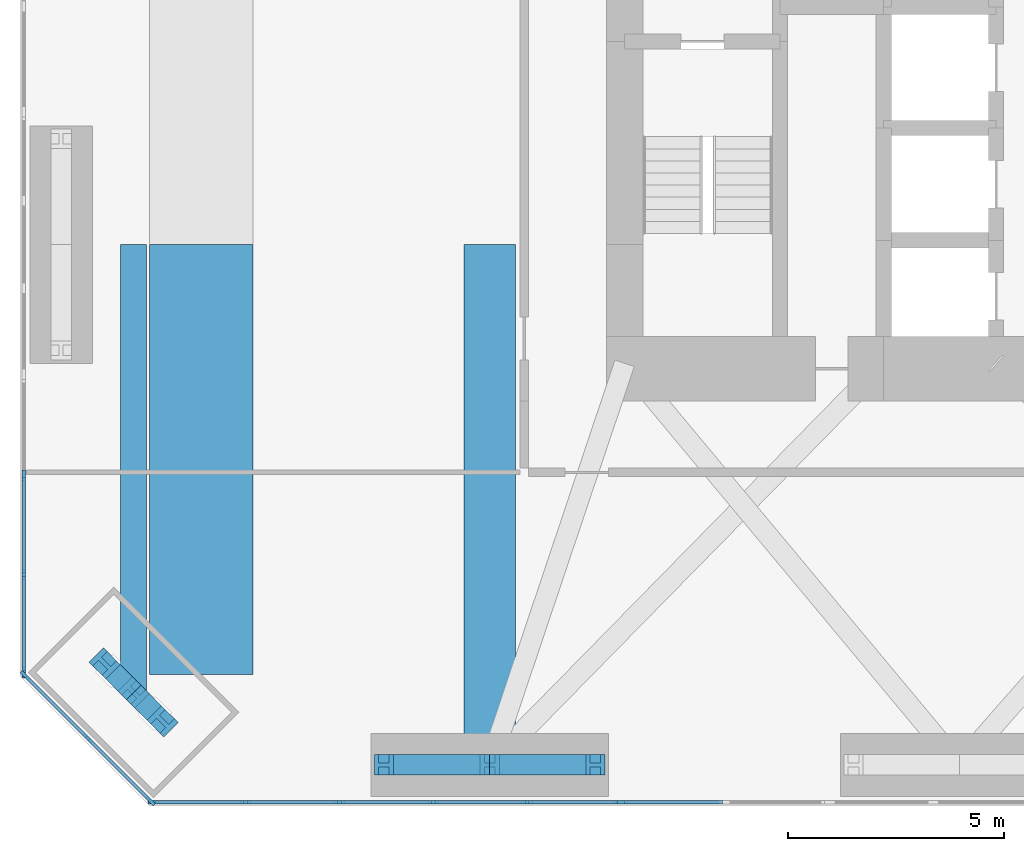
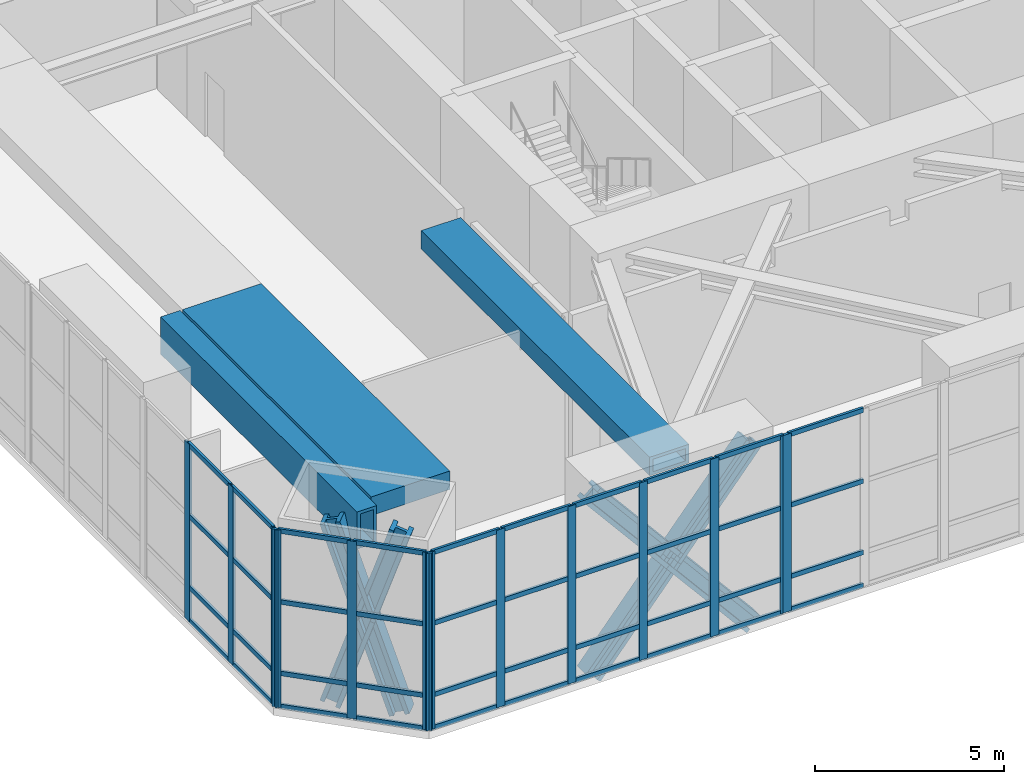
# One storey, part 2 of 18: 61 members, 3 beams, 4 elements without a shape of their own.
"""IFC4 building model written with IfcOpenShell, lengths in metres."""

from ifc_helpers import new_model, si_unit, direction, frame, origin, origin_2d, place, context, subcontext, project, spatial, rectangle, hollow_rectangle, i_section, extrude, material, material_profile, profile_set, type_object, element, aggregate, save


model = new_model("IFC4")

# Units and contexts
model_context = context("Model", 3, precision=1e-05, world=origin(), true_north=direction((0.0, 1.0)))
body_context = subcontext(model_context, "Body", "Model", "MODEL_VIEW")
ifc_project = project(units=[si_unit("LENGTHUNIT", "METRE"), si_unit("AREAUNIT", "SQUARE_METRE"), si_unit("VOLUMEUNIT", "CUBIC_METRE"), si_unit("PLANEANGLEUNIT", "RADIAN"), si_unit("MASSUNIT", "GRAM", prefix="KILO")], contexts=[model_context])

# Site, building, storey
site_placement = place(None, origin())
site = spatial("IfcSite", under=ifc_project, at=site_placement, CompositionType="ELEMENT")
building_placement = place(site_placement, origin())
building = spatial("IfcBuilding", under=site, at=building_placement, Name="Jalousie Tower", CompositionType="ELEMENT")
storey_placement = place(building_placement, frame((0.0, 0.0, 138.35009765625)))
storey = spatial("IfcBuildingStorey", under=building, at=storey_placement, Name="L38", CompositionType="ELEMENT", Elevation=138.35009765625)

# Beams
ifc_material_1 = material(Name="Steel ASTM A572 Grade 50 plate", Category="steel")
ifc_material_profile_1 = material_profile(ifc_material_1, hollow_rectangle(XDim=0.60009765625, YDim=1.199951171875, WallThickness=0.10009765625, at=origin_2d()), Name="BOX 1200x600x100")
ifc_profile_set_1 = profile_set([ifc_material_profile_1], Name="Steel ASTM A572 Grade 50 plate")
beam_type_1 = type_object("IfcBeamType", Name="KINK TIE BOX 1200x600x100", PredefinedType="BEAM", material=ifc_profile_set_1)
beam_1_placement = place(storey_placement, frame((8.63134765625, 2.63134765625, 5.119873046875), z_axis=(0.0, 1.0, 0.0), x_axis=(-1.0, 0.0, 0.0)))
element("IfcBeam", 1, at=beam_1_placement, inside=storey, type_object=beam_type_1, Name="Kink tie under L39", PredefinedType="BEAM", context=body_context, shape_type="SweptSolid", body=[
    extrude(hollow_rectangle(XDim=0.60009765625, YDim=1.199951171875, WallThickness=0.10009765625, at=origin_2d()), origin(), (0.0, 0.0, 1.0), 10.36865234375),
])
ifc_material_2 = material(Name="Steel ASTM A572 Grade 50 plate", Category="steel")
ifc_material_profile_2 = material_profile(ifc_material_2, hollow_rectangle(XDim=1.199951171875, YDim=0.60009765625, WallThickness=0.10009765625, at=origin_2d()), Name="BOX 600x1200x100")
ifc_profile_set_2 = profile_set([ifc_material_profile_2], Name="Steel ASTM A572 Grade 50 plate")
beam_type_2 = type_object("IfcBeamType", Name="KINK TIE BOX 600x1200x100", PredefinedType="BEAM", material=ifc_profile_set_2)
beam_2_placement = place(storey_placement, frame((16.875, 0.949951171875, 5.419921875), z_axis=(0.0, 1.0, 0.0), x_axis=(-1.0, 0.0, 0.0)))
element("IfcBeam", 2, at=beam_2_placement, inside=storey, type_object=beam_type_2, Name="Kink tie under L39", PredefinedType="BEAM", context=body_context, shape_type="SweptSolid", body=[
    extrude(hollow_rectangle(XDim=1.199951171875, YDim=0.60009765625, WallThickness=0.10009765625, at=origin_2d()), origin(), (0.0, 0.0, 1.0), 12.050048828125),
])

# Members
ifc_material_3 = material(Name="Steel ASTM A992 Grade 50", Category="steel")
ifc_material_profile_3 = material_profile(ifc_material_3, i_section(OverallWidth=0.472412109375, OverallDepth=0.5791015625, WebThickness=0.094970703125, FlangeThickness=0.1298828125, at=origin_2d()), Name="W14X808")
ifc_profile_set_3 = profile_set([ifc_material_profile_3], Name="Steel ASTM A992 Grade 50")
member_type_1 = type_object("IfcMemberType", Name="PERIMETER BRACE W14X808", PredefinedType="BRACE", material=ifc_profile_set_3)
for number, where, z_axis, x_axis, name in (
    (3, (7.959716796875, 3.302978515625, -0.60009765625), (0.218388113995, -0.218388113995, 0.951111593522), (0.707106781187, 0.707106781187, 0.0), "Perimeter brace 01 L38 part 1"),
    (4, (8.63134765625, 2.63134765625, 2.324951171875), (0.218388113995, -0.218388113995, 0.951111593522), (0.707106781187, 0.707106781187, 0.0), "Perimeter brace 01 L38 part 2"),
    (5, (9.302978515625, 1.959716796875, -0.60009765625), (-0.218388113995, 0.218388113995, 0.951111593522), (-0.707106781187, -0.707106781187, 0.0), "Perimeter brace 01 L38 part 3"),
    (6, (8.63134765625, 2.63134765625, 2.324951171875), (-0.218388113995, 0.218388113995, 0.951111593522), (-0.707106781187, -0.707106781187, 0.0), "Perimeter brace 01 L38 part 4"),
):
    element("IfcMember", number, at=place(storey_placement, frame(where, z_axis=z_axis, x_axis=x_axis)), inside=storey, type_object=member_type_1, Name=name, PredefinedType="BRACE", context=body_context, shape_type="SweptSolid", body=[
        extrude(i_section(OverallWidth=0.472412109375, OverallDepth=0.5791015625, WebThickness=0.094970703125, FlangeThickness=0.1298828125, at=origin_2d()), origin(), (0.0, 0.0, 1.0), 3.075439453125),
    ])
for number, where, z_axis, x_axis, name in (
    (7, (14.425048828125, 0.949951171875, -0.60009765625), (0.642101988506, 0.0, 0.766619225141), (0.0, 1.0, 0.0), "Perimeter brace 02 L38 part 1"),
    (8, (16.875, 0.949951171875, 2.324951171875), (0.642101988506, 0.0, 0.766619225141), (0.0, 1.0, 0.0), "Perimeter brace 02 L38 part 2"),
    (9, (19.324951171875, 0.949951171875, -0.60009765625), (-0.642101988506, 0.0, 0.766619225141), (0.0, -1.0, 0.0), "Perimeter brace 02 L38 part 3"),
    (10, (16.875, 0.949951171875, 2.324951171875), (-0.642101988506, 0.0, 0.766619225141), (0.0, -1.0, 0.0), "Perimeter brace 02 L38 part 4"),
):
    element("IfcMember", number, at=place(storey_placement, frame(where, z_axis=z_axis, x_axis=x_axis)), inside=storey, type_object=member_type_1, Name=name, PredefinedType="BRACE", context=body_context, shape_type="SweptSolid", body=[
        extrude(i_section(OverallWidth=0.472412109375, OverallDepth=0.5791015625, WebThickness=0.094970703125, FlangeThickness=0.1298828125, at=origin_2d()), origin(), (0.0, 0.0, 1.0), 3.8154296875),
    ])

# Beam
ifc_material_4 = material(Name="Concrete f'c 40 MPa", Category="concrete")
ifc_material_profile_4 = material_profile(ifc_material_4, rectangle(XDim=2.39990234375, YDim=0.60009765625, at=origin_2d()), Name="RC 2400x600")
ifc_profile_set_4 = profile_set([ifc_material_profile_4], Name="Concrete f'c 40 MPa")
beam_type_3 = type_object("IfcBeamType", Name="RC BEAM 2400x600", PredefinedType="BEAM", material=ifc_profile_set_4)
beam_3_placement = place(storey_placement, frame((10.199951171875, 13.0, 5.419921875), z_axis=(0.0, -1.0, 0.0), x_axis=(1.0, 0.0, 0.0)))
element("IfcBeam", 11, at=beam_3_placement, inside=storey, type_object=beam_type_3, Name="Floor band beam under L39", PredefinedType="BEAM", context=body_context, shape_type="SweptSolid", body=[
    extrude(rectangle(XDim=2.39990234375, YDim=0.60009765625, at=origin_2d()), origin(), (0.0, 0.0, 1.0), 9.957275390625),
])

# Curtain wall, members
ifc_material_5 = material(Name="Aluminium curtain wall", Category="aluminium")
curtain_wall_type_1 = type_object("IfcCurtainWallType", Name="SKY LOUNGE SPANDREL WALL", PredefinedType="USERDEFINED", material=ifc_material_5)
curtain_wall_1_placement = place(storey_placement, origin())
curtain_wall_1 = element("IfcCurtainWall", 12, at=curtain_wall_1_placement, inside=storey, type_object=curtain_wall_type_1, Name="Sky Lounge Spandrel Wall L38 1", ObjectType="SKY LOUNGE SPANDREL WALL", PredefinedType="USERDEFINED")
ifc_material_6 = material(Name="Aluminium mullion", Category="aluminium")
ifc_material_profile_5 = material_profile(ifc_material_6, rectangle(XDim=0.074951171875, YDim=0.25, at=origin_2d()), Name="MULLION 75x250")
ifc_profile_set_5 = profile_set([ifc_material_profile_5], Name="Aluminium mullion")
member_type_2 = type_object("IfcMemberType", Name="SKY LOUNGE SPANDREL WALL MULLION", PredefinedType="MULLION", material=ifc_profile_set_5)
member_1_placement = place(storey_placement, frame((9.0888671875, 0.08740234375, 0.0), z_axis=(0.0, 0.0, 1.0), x_axis=(0.0, 1.0, 0.0)))
member_1 = element("IfcMember", 13, at=member_1_placement, type_object=member_type_2, Name="CW-KS mullion 1", PredefinedType="MULLION", context=body_context, shape_type="SweptSolid", body=[
    extrude(rectangle(XDim=0.074951171875, YDim=0.25, at=origin_2d()), origin(), (0.0, 0.0, 1.0), 5.719970703125),
])
member_2_placement = place(storey_placement, frame((11.223876953125, 0.08740234375, 0.0), z_axis=(0.0, 0.0, 1.0), x_axis=(0.0, 1.0, 0.0)))
member_2 = element("IfcMember", 14, at=member_2_placement, type_object=member_type_2, Name="CW-KS mullion 2", PredefinedType="MULLION", context=body_context, shape_type="SweptSolid", body=[
    extrude(rectangle(XDim=0.074951171875, YDim=0.25, at=origin_2d()), origin(), (0.0, 0.0, 1.0), 5.719970703125),
])
member_3_placement = place(storey_placement, frame((13.396484375, 0.08740234375, 0.0), z_axis=(0.0, 0.0, 1.0), x_axis=(0.0, 1.0, 0.0)))
member_3 = element("IfcMember", 15, at=member_3_placement, type_object=member_type_2, Name="CW-KS mullion 3", PredefinedType="MULLION", context=body_context, shape_type="SweptSolid", body=[
    extrude(rectangle(XDim=0.074951171875, YDim=0.25, at=origin_2d()), origin(), (0.0, 0.0, 1.0), 5.719970703125),
])
member_4_placement = place(storey_placement, frame((15.5693359375, 0.08740234375, 0.0), z_axis=(0.0, 0.0, 1.0), x_axis=(0.0, 1.0, 0.0)))
member_4 = element("IfcMember", 16, at=member_4_placement, type_object=member_type_2, Name="CW-KS mullion 4", PredefinedType="MULLION", context=body_context, shape_type="SweptSolid", body=[
    extrude(rectangle(XDim=0.074951171875, YDim=0.25, at=origin_2d()), origin(), (0.0, 0.0, 1.0), 5.719970703125),
])
member_5_placement = place(storey_placement, frame((17.741943359375, 0.08740234375, 0.0), z_axis=(0.0, 0.0, 1.0), x_axis=(0.0, 1.0, 0.0)))
member_5 = element("IfcMember", 17, at=member_5_placement, type_object=member_type_2, Name="CW-KS mullion 5", PredefinedType="MULLION", context=body_context, shape_type="SweptSolid", body=[
    extrude(rectangle(XDim=0.074951171875, YDim=0.25, at=origin_2d()), origin(), (0.0, 0.0, 1.0), 5.719970703125),
])
member_6_placement = place(storey_placement, frame((19.876953125, 0.08740234375, 0.0), z_axis=(0.0, 0.0, 1.0), x_axis=(0.0, 1.0, 0.0)))
member_6 = element("IfcMember", 18, at=member_6_placement, type_object=member_type_2, Name="CW-KS mullion 6", PredefinedType="MULLION", context=body_context, shape_type="SweptSolid", body=[
    extrude(rectangle(XDim=0.074951171875, YDim=0.25, at=origin_2d()), origin(), (0.0, 0.0, 1.0), 5.719970703125),
])

curtain_wall_2_placement = place(storey_placement, origin())
curtain_wall_2 = element("IfcCurtainWall", 19, at=curtain_wall_2_placement, inside=storey, type_object=curtain_wall_type_1, Name="Sky Lounge Spandrel Wall L38 8", ObjectType="SKY LOUNGE SPANDREL WALL", PredefinedType="USERDEFINED")
member_7_placement = place(storey_placement, frame((6.114013671875, 3.02490234375, 0.0), z_axis=(0.0, 0.0, 1.0), x_axis=(0.707106781187, 0.707106781187, 0.0)))
member_7 = element("IfcMember", 20, at=member_7_placement, type_object=member_type_2, Name="CW-KS mullion 1", PredefinedType="MULLION", context=body_context, shape_type="SweptSolid", body=[
    extrude(rectangle(XDim=0.074951171875, YDim=0.25, at=origin_2d()), origin(), (0.0, 0.0, 1.0), 5.719970703125),
])
member_8_placement = place(storey_placement, frame((7.5693359375, 1.5693359375, 0.0), z_axis=(0.0, 0.0, 1.0), x_axis=(0.707106781187, 0.707106781187, 0.0)))
member_8 = element("IfcMember", 21, at=member_8_placement, type_object=member_type_2, Name="CW-KS mullion 2", PredefinedType="MULLION", context=body_context, shape_type="SweptSolid", body=[
    extrude(rectangle(XDim=0.074951171875, YDim=0.25, at=origin_2d()), origin(), (0.0, 0.0, 1.0), 5.719970703125),
])
member_9_placement = place(storey_placement, frame((9.02490234375, 0.114013671875, 0.0), z_axis=(0.0, 0.0, 1.0), x_axis=(0.707106781187, 0.707106781187, 0.0)))
member_9 = element("IfcMember", 22, at=member_9_placement, type_object=member_type_2, Name="CW-KS mullion 3", PredefinedType="MULLION", context=body_context, shape_type="SweptSolid", body=[
    extrude(rectangle(XDim=0.074951171875, YDim=0.25, at=origin_2d()), origin(), (0.0, 0.0, 1.0), 5.719970703125),
])

# Member
ifc_material_7 = material(Name="Aluminium transom", Category="aluminium")
ifc_material_profile_6 = material_profile(ifc_material_7, rectangle(XDim=0.074951171875, YDim=0.14990234375, at=origin_2d()), Name="TRANSOM 75x150")
ifc_profile_set_6 = profile_set([ifc_material_profile_6], Name="Aluminium transom")
member_type_3 = type_object("IfcMemberType", Name="SKY LOUNGE SPANDREL WALL TRANSOM", PredefinedType="USERDEFINED", material=ifc_profile_set_6)
member_10_placement = place(storey_placement, frame((9.126220703125, 0.08740234375, 0.037353515625), z_axis=(1.0, 0.0, 0.0), x_axis=(0.0, 1.0, 0.0)))
member_10 = element("IfcMember", 23, at=member_10_placement, type_object=member_type_3, Name="CW-KS transom 1.1", ObjectType="TRANSOM", PredefinedType="USERDEFINED", context=body_context, shape_type="SweptSolid", body=[
    extrude(rectangle(XDim=0.074951171875, YDim=0.14990234375, at=origin_2d()), origin(), (0.0, 0.0, 1.0), 2.060302734375),
])

member_11_placement = place(storey_placement, frame((9.126220703125, 0.08740234375, 1.099853515625), z_axis=(1.0, 0.0, 0.0), x_axis=(0.0, 1.0, 0.0)))
member_11 = element("IfcMember", 24, at=member_11_placement, type_object=member_type_3, Name="CW-KS transom 1.2", ObjectType="TRANSOM", PredefinedType="USERDEFINED", context=body_context, shape_type="SweptSolid", body=[
    extrude(rectangle(XDim=0.074951171875, YDim=0.14990234375, at=origin_2d()), origin(), (0.0, 0.0, 1.0), 2.060302734375),
])

member_12_placement = place(storey_placement, frame((9.126220703125, 0.08740234375, 3.39990234375), z_axis=(1.0, 0.0, 0.0), x_axis=(0.0, 1.0, 0.0)))
member_12 = element("IfcMember", 25, at=member_12_placement, type_object=member_type_3, Name="CW-KS transom 1.3", ObjectType="TRANSOM", PredefinedType="USERDEFINED", context=body_context, shape_type="SweptSolid", body=[
    extrude(rectangle(XDim=0.074951171875, YDim=0.14990234375, at=origin_2d()), origin(), (0.0, 0.0, 1.0), 2.060302734375),
])

member_13_placement = place(storey_placement, frame((9.126220703125, 0.08740234375, 5.682373046875), z_axis=(1.0, 0.0, 0.0), x_axis=(0.0, 1.0, 0.0)))
member_13 = element("IfcMember", 26, at=member_13_placement, type_object=member_type_3, Name="CW-KS transom 1.4", ObjectType="TRANSOM", PredefinedType="USERDEFINED", context=body_context, shape_type="SweptSolid", body=[
    extrude(rectangle(XDim=0.074951171875, YDim=0.14990234375, at=origin_2d()), origin(), (0.0, 0.0, 1.0), 2.060302734375),
])

member_14_placement = place(storey_placement, frame((11.261474609375, 0.08740234375, 0.037353515625), z_axis=(1.0, 0.0, 0.0), x_axis=(0.0, 1.0, 0.0)))
member_14 = element("IfcMember", 27, at=member_14_placement, type_object=member_type_3, Name="CW-KS transom 2.1", ObjectType="TRANSOM", PredefinedType="USERDEFINED", context=body_context, shape_type="SweptSolid", body=[
    extrude(rectangle(XDim=0.074951171875, YDim=0.14990234375, at=origin_2d()), origin(), (0.0, 0.0, 1.0), 2.09765625),
])

member_15_placement = place(storey_placement, frame((11.261474609375, 0.08740234375, 1.099853515625), z_axis=(1.0, 0.0, 0.0), x_axis=(0.0, 1.0, 0.0)))
member_15 = element("IfcMember", 28, at=member_15_placement, type_object=member_type_3, Name="CW-KS transom 2.2", ObjectType="TRANSOM", PredefinedType="USERDEFINED", context=body_context, shape_type="SweptSolid", body=[
    extrude(rectangle(XDim=0.074951171875, YDim=0.14990234375, at=origin_2d()), origin(), (0.0, 0.0, 1.0), 2.09765625),
])

member_16_placement = place(storey_placement, frame((11.261474609375, 0.08740234375, 3.39990234375), z_axis=(1.0, 0.0, 0.0), x_axis=(0.0, 1.0, 0.0)))
member_16 = element("IfcMember", 29, at=member_16_placement, type_object=member_type_3, Name="CW-KS transom 2.3", ObjectType="TRANSOM", PredefinedType="USERDEFINED", context=body_context, shape_type="SweptSolid", body=[
    extrude(rectangle(XDim=0.074951171875, YDim=0.14990234375, at=origin_2d()), origin(), (0.0, 0.0, 1.0), 2.09765625),
])

member_17_placement = place(storey_placement, frame((11.261474609375, 0.08740234375, 5.682373046875), z_axis=(1.0, 0.0, 0.0), x_axis=(0.0, 1.0, 0.0)))
member_17 = element("IfcMember", 30, at=member_17_placement, type_object=member_type_3, Name="CW-KS transom 2.4", ObjectType="TRANSOM", PredefinedType="USERDEFINED", context=body_context, shape_type="SweptSolid", body=[
    extrude(rectangle(XDim=0.074951171875, YDim=0.14990234375, at=origin_2d()), origin(), (0.0, 0.0, 1.0), 2.09765625),
])

member_18_placement = place(storey_placement, frame((13.43408203125, 0.08740234375, 0.037353515625), z_axis=(1.0, 0.0, 0.0), x_axis=(0.0, 1.0, 0.0)))
member_18 = element("IfcMember", 31, at=member_18_placement, type_object=member_type_3, Name="CW-KS transom 3.1", ObjectType="TRANSOM", PredefinedType="USERDEFINED", context=body_context, shape_type="SweptSolid", body=[
    extrude(rectangle(XDim=0.074951171875, YDim=0.14990234375, at=origin_2d()), origin(), (0.0, 0.0, 1.0), 2.09765625),
])

member_19_placement = place(storey_placement, frame((13.43408203125, 0.08740234375, 1.099853515625), z_axis=(1.0, 0.0, 0.0), x_axis=(0.0, 1.0, 0.0)))
member_19 = element("IfcMember", 32, at=member_19_placement, type_object=member_type_3, Name="CW-KS transom 3.2", ObjectType="TRANSOM", PredefinedType="USERDEFINED", context=body_context, shape_type="SweptSolid", body=[
    extrude(rectangle(XDim=0.074951171875, YDim=0.14990234375, at=origin_2d()), origin(), (0.0, 0.0, 1.0), 2.09765625),
])

member_20_placement = place(storey_placement, frame((13.43408203125, 0.08740234375, 3.39990234375), z_axis=(1.0, 0.0, 0.0), x_axis=(0.0, 1.0, 0.0)))
member_20 = element("IfcMember", 33, at=member_20_placement, type_object=member_type_3, Name="CW-KS transom 3.3", ObjectType="TRANSOM", PredefinedType="USERDEFINED", context=body_context, shape_type="SweptSolid", body=[
    extrude(rectangle(XDim=0.074951171875, YDim=0.14990234375, at=origin_2d()), origin(), (0.0, 0.0, 1.0), 2.09765625),
])

member_21_placement = place(storey_placement, frame((13.43408203125, 0.08740234375, 5.682373046875), z_axis=(1.0, 0.0, 0.0), x_axis=(0.0, 1.0, 0.0)))
member_21 = element("IfcMember", 34, at=member_21_placement, type_object=member_type_3, Name="CW-KS transom 3.4", ObjectType="TRANSOM", PredefinedType="USERDEFINED", context=body_context, shape_type="SweptSolid", body=[
    extrude(rectangle(XDim=0.074951171875, YDim=0.14990234375, at=origin_2d()), origin(), (0.0, 0.0, 1.0), 2.09765625),
])

member_22_placement = place(storey_placement, frame((15.606689453125, 0.08740234375, 0.037353515625), z_axis=(1.0, 0.0, 0.0), x_axis=(0.0, 1.0, 0.0)))
member_22 = element("IfcMember", 35, at=member_22_placement, type_object=member_type_3, Name="CW-KS transom 4.1", ObjectType="TRANSOM", PredefinedType="USERDEFINED", context=body_context, shape_type="SweptSolid", body=[
    extrude(rectangle(XDim=0.074951171875, YDim=0.14990234375, at=origin_2d()), origin(), (0.0, 0.0, 1.0), 2.09765625),
])

member_23_placement = place(storey_placement, frame((15.606689453125, 0.08740234375, 1.099853515625), z_axis=(1.0, 0.0, 0.0), x_axis=(0.0, 1.0, 0.0)))
member_23 = element("IfcMember", 36, at=member_23_placement, type_object=member_type_3, Name="CW-KS transom 4.2", ObjectType="TRANSOM", PredefinedType="USERDEFINED", context=body_context, shape_type="SweptSolid", body=[
    extrude(rectangle(XDim=0.074951171875, YDim=0.14990234375, at=origin_2d()), origin(), (0.0, 0.0, 1.0), 2.09765625),
])

member_24_placement = place(storey_placement, frame((15.606689453125, 0.08740234375, 3.39990234375), z_axis=(1.0, 0.0, 0.0), x_axis=(0.0, 1.0, 0.0)))
member_24 = element("IfcMember", 37, at=member_24_placement, type_object=member_type_3, Name="CW-KS transom 4.3", ObjectType="TRANSOM", PredefinedType="USERDEFINED", context=body_context, shape_type="SweptSolid", body=[
    extrude(rectangle(XDim=0.074951171875, YDim=0.14990234375, at=origin_2d()), origin(), (0.0, 0.0, 1.0), 2.09765625),
])

member_25_placement = place(storey_placement, frame((15.606689453125, 0.08740234375, 5.682373046875), z_axis=(1.0, 0.0, 0.0), x_axis=(0.0, 1.0, 0.0)))
member_25 = element("IfcMember", 38, at=member_25_placement, type_object=member_type_3, Name="CW-KS transom 4.4", ObjectType="TRANSOM", PredefinedType="USERDEFINED", context=body_context, shape_type="SweptSolid", body=[
    extrude(rectangle(XDim=0.074951171875, YDim=0.14990234375, at=origin_2d()), origin(), (0.0, 0.0, 1.0), 2.09765625),
])

member_26_placement = place(storey_placement, frame((17.779296875, 0.08740234375, 0.037353515625), z_axis=(1.0, 0.0, 0.0), x_axis=(0.0, 1.0, 0.0)))
member_26 = element("IfcMember", 39, at=member_26_placement, type_object=member_type_3, Name="CW-KS transom 5.1", ObjectType="TRANSOM", PredefinedType="USERDEFINED", context=body_context, shape_type="SweptSolid", body=[
    extrude(rectangle(XDim=0.074951171875, YDim=0.14990234375, at=origin_2d()), origin(), (0.0, 0.0, 1.0), 2.060302734375),
])

member_27_placement = place(storey_placement, frame((17.779296875, 0.08740234375, 1.099853515625), z_axis=(1.0, 0.0, 0.0), x_axis=(0.0, 1.0, 0.0)))
member_27 = element("IfcMember", 40, at=member_27_placement, type_object=member_type_3, Name="CW-KS transom 5.2", ObjectType="TRANSOM", PredefinedType="USERDEFINED", context=body_context, shape_type="SweptSolid", body=[
    extrude(rectangle(XDim=0.074951171875, YDim=0.14990234375, at=origin_2d()), origin(), (0.0, 0.0, 1.0), 2.060302734375),
])

member_28_placement = place(storey_placement, frame((17.779296875, 0.08740234375, 3.39990234375), z_axis=(1.0, 0.0, 0.0), x_axis=(0.0, 1.0, 0.0)))
member_28 = element("IfcMember", 41, at=member_28_placement, type_object=member_type_3, Name="CW-KS transom 5.3", ObjectType="TRANSOM", PredefinedType="USERDEFINED", context=body_context, shape_type="SweptSolid", body=[
    extrude(rectangle(XDim=0.074951171875, YDim=0.14990234375, at=origin_2d()), origin(), (0.0, 0.0, 1.0), 2.060302734375),
])

member_29_placement = place(storey_placement, frame((17.779296875, 0.08740234375, 5.682373046875), z_axis=(1.0, 0.0, 0.0), x_axis=(0.0, 1.0, 0.0)))
member_29 = element("IfcMember", 42, at=member_29_placement, type_object=member_type_3, Name="CW-KS transom 5.4", ObjectType="TRANSOM", PredefinedType="USERDEFINED", context=body_context, shape_type="SweptSolid", body=[
    extrude(rectangle(XDim=0.074951171875, YDim=0.14990234375, at=origin_2d()), origin(), (0.0, 0.0, 1.0), 2.060302734375),
])

aggregate(curtain_wall_1, [member_1, member_2, member_3, member_4, member_5, member_6, member_10, member_11, member_12, member_13, member_14, member_15, member_16, member_17, member_18, member_19, member_20, member_21, member_22, member_23, member_24, member_25, member_26, member_27, member_28, member_29])

member_30_placement = place(storey_placement, frame((6.140625, 2.998291015625, 0.037353515625), z_axis=(0.707106781187, -0.707106781187, 0.0), x_axis=(0.707106781187, 0.707106781187, 0.0)))
member_30 = element("IfcMember", 43, at=member_30_placement, type_object=member_type_3, Name="CW-KS transom 1.1", ObjectType="TRANSOM", PredefinedType="USERDEFINED", context=body_context, shape_type="SweptSolid", body=[
    extrude(rectangle(XDim=0.074951171875, YDim=0.14990234375, at=origin_2d()), origin(), (0.0, 0.0, 1.0), 1.983154296875),
])

member_31_placement = place(storey_placement, frame((6.140625, 2.998291015625, 1.099853515625), z_axis=(0.707106781187, -0.707106781187, 0.0), x_axis=(0.707106781187, 0.707106781187, 0.0)))
member_31 = element("IfcMember", 44, at=member_31_placement, type_object=member_type_3, Name="CW-KS transom 1.2", ObjectType="TRANSOM", PredefinedType="USERDEFINED", context=body_context, shape_type="SweptSolid", body=[
    extrude(rectangle(XDim=0.074951171875, YDim=0.14990234375, at=origin_2d()), origin(), (0.0, 0.0, 1.0), 1.983154296875),
])

member_32_placement = place(storey_placement, frame((6.140625, 2.998291015625, 3.39990234375), z_axis=(0.707106781187, -0.707106781187, 0.0), x_axis=(0.707106781187, 0.707106781187, 0.0)))
member_32 = element("IfcMember", 45, at=member_32_placement, type_object=member_type_3, Name="CW-KS transom 1.3", ObjectType="TRANSOM", PredefinedType="USERDEFINED", context=body_context, shape_type="SweptSolid", body=[
    extrude(rectangle(XDim=0.074951171875, YDim=0.14990234375, at=origin_2d()), origin(), (0.0, 0.0, 1.0), 1.983154296875),
])

member_33_placement = place(storey_placement, frame((6.140625, 2.998291015625, 5.682373046875), z_axis=(0.707106781187, -0.707106781187, 0.0), x_axis=(0.707106781187, 0.707106781187, 0.0)))
member_33 = element("IfcMember", 46, at=member_33_placement, type_object=member_type_3, Name="CW-KS transom 1.4", ObjectType="TRANSOM", PredefinedType="USERDEFINED", context=body_context, shape_type="SweptSolid", body=[
    extrude(rectangle(XDim=0.074951171875, YDim=0.14990234375, at=origin_2d()), origin(), (0.0, 0.0, 1.0), 1.983154296875),
])

member_34_placement = place(storey_placement, frame((7.595947265625, 1.54296875, 0.037353515625), z_axis=(0.707106781187, -0.707106781187, 0.0), x_axis=(0.707106781187, 0.707106781187, 0.0)))
member_34 = element("IfcMember", 47, at=member_34_placement, type_object=member_type_3, Name="CW-KS transom 2.1", ObjectType="TRANSOM", PredefinedType="USERDEFINED", context=body_context, shape_type="SweptSolid", body=[
    extrude(rectangle(XDim=0.074951171875, YDim=0.14990234375, at=origin_2d()), origin(), (0.0, 0.0, 1.0), 1.983154296875),
])

member_35_placement = place(storey_placement, frame((7.595947265625, 1.54296875, 1.099853515625), z_axis=(0.707106781187, -0.707106781187, 0.0), x_axis=(0.707106781187, 0.707106781187, 0.0)))
member_35 = element("IfcMember", 48, at=member_35_placement, type_object=member_type_3, Name="CW-KS transom 2.2", ObjectType="TRANSOM", PredefinedType="USERDEFINED", context=body_context, shape_type="SweptSolid", body=[
    extrude(rectangle(XDim=0.074951171875, YDim=0.14990234375, at=origin_2d()), origin(), (0.0, 0.0, 1.0), 1.983154296875),
])

member_36_placement = place(storey_placement, frame((7.595947265625, 1.54296875, 3.39990234375), z_axis=(0.707106781187, -0.707106781187, 0.0), x_axis=(0.707106781187, 0.707106781187, 0.0)))
member_36 = element("IfcMember", 49, at=member_36_placement, type_object=member_type_3, Name="CW-KS transom 2.3", ObjectType="TRANSOM", PredefinedType="USERDEFINED", context=body_context, shape_type="SweptSolid", body=[
    extrude(rectangle(XDim=0.074951171875, YDim=0.14990234375, at=origin_2d()), origin(), (0.0, 0.0, 1.0), 1.983154296875),
])

member_37_placement = place(storey_placement, frame((7.595947265625, 1.54296875, 5.682373046875), z_axis=(0.707106781187, -0.707106781187, 0.0), x_axis=(0.707106781187, 0.707106781187, 0.0)))
member_37 = element("IfcMember", 50, at=member_37_placement, type_object=member_type_3, Name="CW-KS transom 2.4", ObjectType="TRANSOM", PredefinedType="USERDEFINED", context=body_context, shape_type="SweptSolid", body=[
    extrude(rectangle(XDim=0.074951171875, YDim=0.14990234375, at=origin_2d()), origin(), (0.0, 0.0, 1.0), 1.983154296875),
])

aggregate(curtain_wall_2, [member_7, member_8, member_9, member_30, member_31, member_32, member_33, member_34, member_35, member_36, member_37])

# Curtain wall, member
ifc_material_8 = material(Name="Aluminium curtain wall", Category="aluminium")
curtain_wall_type_2 = type_object("IfcCurtainWallType", Name="SKY LOUNGE WINDOW WALL", PredefinedType="USERDEFINED", material=ifc_material_8)
curtain_wall_3_placement = place(storey_placement, origin())
curtain_wall_3 = element("IfcCurtainWall", 51, at=curtain_wall_3_placement, inside=storey, type_object=curtain_wall_type_2, Name="Sky Lounge Window Wall L38 2", ObjectType="SKY LOUNGE WINDOW WALL", PredefinedType="USERDEFINED")
ifc_material_9 = material(Name="Aluminium mullion", Category="aluminium")
ifc_material_profile_7 = material_profile(ifc_material_9, rectangle(XDim=0.074951171875, YDim=0.25, at=origin_2d()), Name="MULLION 75x250")
ifc_profile_set_7 = profile_set([ifc_material_profile_7], Name="Aluminium mullion")
member_type_4 = type_object("IfcMemberType", Name="SKY LOUNGE WINDOW WALL MULLION", PredefinedType="MULLION", material=ifc_profile_set_7)
member_38_placement = place(storey_placement, frame((19.951904296875, 0.08740234375, 0.0), z_axis=(0.0, 0.0, 1.0), x_axis=(0.0, 1.0, 0.0)))
member_38 = element("IfcMember", 52, at=member_38_placement, type_object=member_type_4, Name="CW-K mullion 1", PredefinedType="MULLION", context=body_context, shape_type="SweptSolid", body=[
    extrude(rectangle(XDim=0.074951171875, YDim=0.25, at=origin_2d()), origin(), (0.0, 0.0, 1.0), 5.719970703125),
])

# Curtain wall, members
curtain_wall_4_placement = place(storey_placement, origin())
curtain_wall_4 = element("IfcCurtainWall", 53, at=curtain_wall_4_placement, inside=storey, type_object=curtain_wall_type_2, Name="Sky Lounge Window Wall L38 65", ObjectType="SKY LOUNGE WINDOW WALL", PredefinedType="USERDEFINED")
member_39_placement = place(storey_placement, frame((6.08740234375, 7.657470703125, 0.0), z_axis=(0.0, 0.0, 1.0), x_axis=(1.0, 0.0, 0.0)))
member_39 = element("IfcMember", 54, at=member_39_placement, type_object=member_type_4, Name="CW-K mullion 2", PredefinedType="MULLION", context=body_context, shape_type="SweptSolid", body=[
    extrude(rectangle(XDim=0.074951171875, YDim=0.25, at=origin_2d()), origin(), (0.0, 0.0, 1.0), 5.719970703125),
])
member_40_placement = place(storey_placement, frame((6.08740234375, 5.354248046875, 0.0), z_axis=(0.0, 0.0, 1.0), x_axis=(1.0, 0.0, 0.0)))
member_40 = element("IfcMember", 55, at=member_40_placement, type_object=member_type_4, Name="CW-K mullion 3", PredefinedType="MULLION", context=body_context, shape_type="SweptSolid", body=[
    extrude(rectangle(XDim=0.074951171875, YDim=0.25, at=origin_2d()), origin(), (0.0, 0.0, 1.0), 5.719970703125),
])
member_41_placement = place(storey_placement, frame((6.08740234375, 3.0888671875, 0.0), z_axis=(0.0, 0.0, 1.0), x_axis=(1.0, 0.0, 0.0)))
member_41 = element("IfcMember", 56, at=member_41_placement, type_object=member_type_4, Name="CW-K mullion 4", PredefinedType="MULLION", context=body_context, shape_type="SweptSolid", body=[
    extrude(rectangle(XDim=0.074951171875, YDim=0.25, at=origin_2d()), origin(), (0.0, 0.0, 1.0), 5.719970703125),
])

# Member
ifc_material_10 = material(Name="Aluminium transom", Category="aluminium")
ifc_material_profile_8 = material_profile(ifc_material_10, rectangle(XDim=0.074951171875, YDim=0.14990234375, at=origin_2d()), Name="TRANSOM 75x150")
ifc_profile_set_8 = profile_set([ifc_material_profile_8], Name="Aluminium transom")
member_type_5 = type_object("IfcMemberType", Name="SKY LOUNGE WINDOW WALL TRANSOM", PredefinedType="USERDEFINED", material=ifc_profile_set_8)
member_42_placement = place(storey_placement, frame((19.989501953125, 0.08740234375, 0.037353515625), z_axis=(1.0, 0.0, 0.0), x_axis=(0.0, 1.0, 0.0)))
member_42 = element("IfcMember", 57, at=member_42_placement, type_object=member_type_5, Name="CW-K transom 1.1", ObjectType="TRANSOM", PredefinedType="USERDEFINED", context=body_context, shape_type="SweptSolid", body=[
    extrude(rectangle(XDim=0.074951171875, YDim=0.14990234375, at=origin_2d()), origin(), (0.0, 0.0, 1.0), 2.285400390625),
])

member_43_placement = place(storey_placement, frame((19.989501953125, 0.08740234375, 1.099853515625), z_axis=(1.0, 0.0, 0.0), x_axis=(0.0, 1.0, 0.0)))
member_43 = element("IfcMember", 58, at=member_43_placement, type_object=member_type_5, Name="CW-K transom 1.2", ObjectType="TRANSOM", PredefinedType="USERDEFINED", context=body_context, shape_type="SweptSolid", body=[
    extrude(rectangle(XDim=0.074951171875, YDim=0.14990234375, at=origin_2d()), origin(), (0.0, 0.0, 1.0), 2.285400390625),
])

member_44_placement = place(storey_placement, frame((19.989501953125, 0.08740234375, 3.39990234375), z_axis=(1.0, 0.0, 0.0), x_axis=(0.0, 1.0, 0.0)))
member_44 = element("IfcMember", 59, at=member_44_placement, type_object=member_type_5, Name="CW-K transom 1.3", ObjectType="TRANSOM", PredefinedType="USERDEFINED", context=body_context, shape_type="SweptSolid", body=[
    extrude(rectangle(XDim=0.074951171875, YDim=0.14990234375, at=origin_2d()), origin(), (0.0, 0.0, 1.0), 2.285400390625),
])

member_45_placement = place(storey_placement, frame((19.989501953125, 0.08740234375, 5.682373046875), z_axis=(1.0, 0.0, 0.0), x_axis=(0.0, 1.0, 0.0)))
member_45 = element("IfcMember", 60, at=member_45_placement, type_object=member_type_5, Name="CW-K transom 1.4", ObjectType="TRANSOM", PredefinedType="USERDEFINED", context=body_context, shape_type="SweptSolid", body=[
    extrude(rectangle(XDim=0.074951171875, YDim=0.14990234375, at=origin_2d()), origin(), (0.0, 0.0, 1.0), 2.285400390625),
])

aggregate(curtain_wall_3, [member_38, member_42, member_43, member_44, member_45])

member_46_placement = place(storey_placement, frame((6.08740234375, 7.619873046875, 0.037353515625), z_axis=(0.0, -1.0, 0.0), x_axis=(1.0, 0.0, 0.0)))
member_46 = element("IfcMember", 61, at=member_46_placement, type_object=member_type_5, Name="CW-K transom 2.1", ObjectType="TRANSOM", PredefinedType="USERDEFINED", context=body_context, shape_type="SweptSolid", body=[
    extrude(rectangle(XDim=0.074951171875, YDim=0.14990234375, at=origin_2d()), origin(), (0.0, 0.0, 1.0), 2.22802734375),
])

member_47_placement = place(storey_placement, frame((6.08740234375, 7.619873046875, 1.099853515625), z_axis=(0.0, -1.0, 0.0), x_axis=(1.0, 0.0, 0.0)))
member_47 = element("IfcMember", 62, at=member_47_placement, type_object=member_type_5, Name="CW-K transom 2.2", ObjectType="TRANSOM", PredefinedType="USERDEFINED", context=body_context, shape_type="SweptSolid", body=[
    extrude(rectangle(XDim=0.074951171875, YDim=0.14990234375, at=origin_2d()), origin(), (0.0, 0.0, 1.0), 2.22802734375),
])

member_48_placement = place(storey_placement, frame((6.08740234375, 7.619873046875, 3.39990234375), z_axis=(0.0, -1.0, 0.0), x_axis=(1.0, 0.0, 0.0)))
member_48 = element("IfcMember", 63, at=member_48_placement, type_object=member_type_5, Name="CW-K transom 2.3", ObjectType="TRANSOM", PredefinedType="USERDEFINED", context=body_context, shape_type="SweptSolid", body=[
    extrude(rectangle(XDim=0.074951171875, YDim=0.14990234375, at=origin_2d()), origin(), (0.0, 0.0, 1.0), 2.22802734375),
])

member_49_placement = place(storey_placement, frame((6.08740234375, 7.619873046875, 5.682373046875), z_axis=(0.0, -1.0, 0.0), x_axis=(1.0, 0.0, 0.0)))
member_49 = element("IfcMember", 64, at=member_49_placement, type_object=member_type_5, Name="CW-K transom 2.4", ObjectType="TRANSOM", PredefinedType="USERDEFINED", context=body_context, shape_type="SweptSolid", body=[
    extrude(rectangle(XDim=0.074951171875, YDim=0.14990234375, at=origin_2d()), origin(), (0.0, 0.0, 1.0), 2.22802734375),
])

member_50_placement = place(storey_placement, frame((6.08740234375, 5.31689453125, 0.037353515625), z_axis=(0.0, -1.0, 0.0), x_axis=(1.0, 0.0, 0.0)))
member_50 = element("IfcMember", 65, at=member_50_placement, type_object=member_type_5, Name="CW-K transom 3.1", ObjectType="TRANSOM", PredefinedType="USERDEFINED", context=body_context, shape_type="SweptSolid", body=[
    extrude(rectangle(XDim=0.074951171875, YDim=0.14990234375, at=origin_2d()), origin(), (0.0, 0.0, 1.0), 2.190673828125),
])

member_51_placement = place(storey_placement, frame((6.08740234375, 5.31689453125, 1.099853515625), z_axis=(0.0, -1.0, 0.0), x_axis=(1.0, 0.0, 0.0)))
member_51 = element("IfcMember", 66, at=member_51_placement, type_object=member_type_5, Name="CW-K transom 3.2", ObjectType="TRANSOM", PredefinedType="USERDEFINED", context=body_context, shape_type="SweptSolid", body=[
    extrude(rectangle(XDim=0.074951171875, YDim=0.14990234375, at=origin_2d()), origin(), (0.0, 0.0, 1.0), 2.190673828125),
])

member_52_placement = place(storey_placement, frame((6.08740234375, 5.31689453125, 3.39990234375), z_axis=(0.0, -1.0, 0.0), x_axis=(1.0, 0.0, 0.0)))
member_52 = element("IfcMember", 67, at=member_52_placement, type_object=member_type_5, Name="CW-K transom 3.3", ObjectType="TRANSOM", PredefinedType="USERDEFINED", context=body_context, shape_type="SweptSolid", body=[
    extrude(rectangle(XDim=0.074951171875, YDim=0.14990234375, at=origin_2d()), origin(), (0.0, 0.0, 1.0), 2.190673828125),
])

member_53_placement = place(storey_placement, frame((6.08740234375, 5.31689453125, 5.682373046875), z_axis=(0.0, -1.0, 0.0), x_axis=(1.0, 0.0, 0.0)))
member_53 = element("IfcMember", 68, at=member_53_placement, type_object=member_type_5, Name="CW-K transom 3.4", ObjectType="TRANSOM", PredefinedType="USERDEFINED", context=body_context, shape_type="SweptSolid", body=[
    extrude(rectangle(XDim=0.074951171875, YDim=0.14990234375, at=origin_2d()), origin(), (0.0, 0.0, 1.0), 2.190673828125),
])

aggregate(curtain_wall_4, [member_39, member_40, member_41, member_46, member_47, member_48, member_49, member_50, member_51, member_52, member_53])

save(model, "model.ifc")
